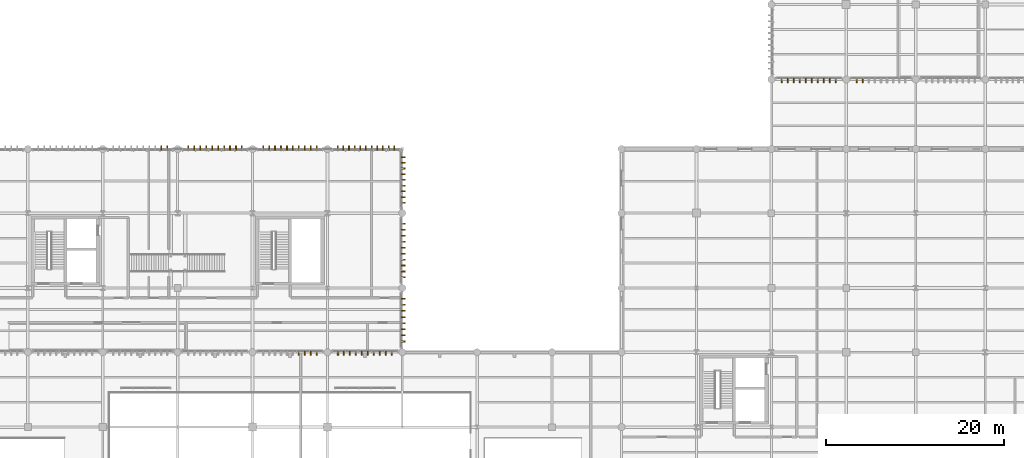
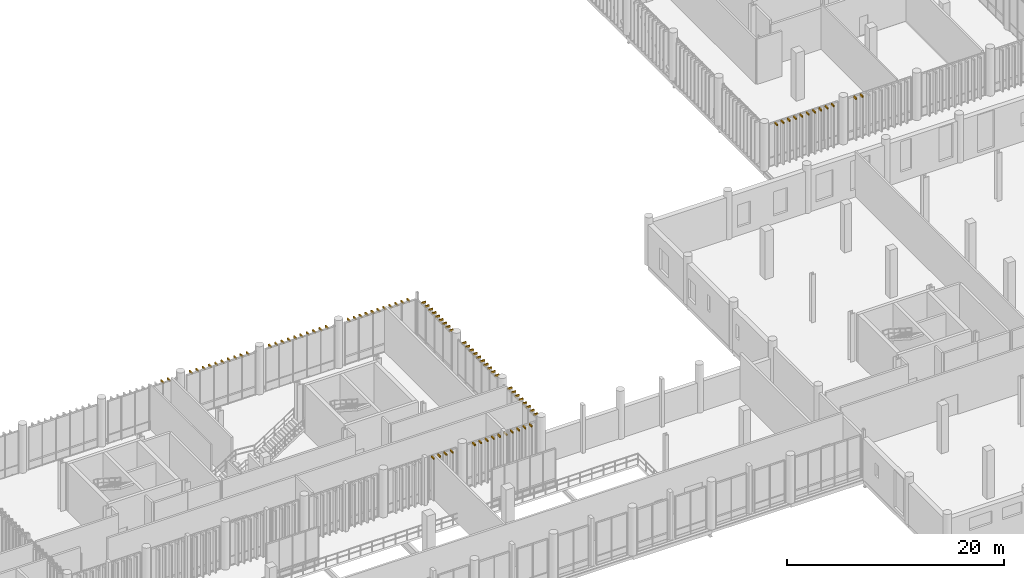
# One storey, part 127 of 128: 86 shading devices.
"""IFC4 building model written with IfcOpenShell, lengths in metres."""

import ifcopenshell
import ifcopenshell.guid

model = None  # the IFC model being written
_history = None  # IfcOwnerHistory: only IFC2X3 demands one
_inside = {}  # id of a spatial element -> (the spatial element, [elements in it])
_under = {}  # id of a project, library or spatial element -> (it, [spatial elements below it])
_declared = {}  # id of a project -> (the project, [libraries it declares])
_typed = {}  # id of a type object -> (the type object, [elements of that type])
_made_of = {}  # id of a material, layer set ... -> (it, [elements and type objects made of it])


def new_model(schema):
    """Start an empty IFC model of exactly this schema.

    Asked for "IFC4X3", IfcOpenShell would pick the latest addendum, in which some entities
    have other attributes; the version numbers below select the first issue.
    IFC2X3 requires an IfcOwnerHistory on every rooted entity: one is made here for all.
    """
    global model, _history
    if schema == "IFC4X3":
        model = ifcopenshell.file(schema_version=(4, 3, 0, 0))
    else:
        model = ifcopenshell.file(schema=schema)
    _inside.clear()
    _under.clear()
    _declared.clear()
    _typed.clear()
    _made_of.clear()
    _history = None
    if model.schema == "IFC2X3":
        org = make("IfcOrganization", Name="unknown")
        user = make(
            "IfcPersonAndOrganization",
            ThePerson=make("IfcPerson", FamilyName="unknown"),
            TheOrganization=org,
        )
        app = make(
            "IfcApplication",
            ApplicationDeveloper=org,
            Version="unknown",
            ApplicationFullName="unknown",
            ApplicationIdentifier="unknown",
        )
        _history = make(
            "IfcOwnerHistory",
            OwningUser=user,
            OwningApplication=app,
            ChangeAction="ADDED",
            CreationDate=0,
        )
    return model


def make(cls, **values):
    """One entity of the class cls with the attributes given. An attribute that is None is left unset."""
    return model.create_entity(
        cls, **{name: value for name, value in values.items() if value is not None}
    )


def rooted(cls, **values):
    """An entity with a GlobalId (a new one), such as an element, a storey or a relation."""
    return make(cls, GlobalId=ifcopenshell.guid.new(), OwnerHistory=_history, **values)


def si_unit(unit_type, name, prefix=None):
    """IfcSIUnit, for example si_unit("LENGTHUNIT", "METRE", prefix="MILLI")."""
    return make("IfcSIUnit", UnitType=unit_type, Prefix=prefix, Name=name)


def assignment(units):
    """IfcUnitAssignment: the units of a project."""
    return None if units is None else make("IfcUnitAssignment", Units=units)


def point(xyz):
    """IfcCartesianPoint."""
    return None if xyz is None else make("IfcCartesianPoint", Coordinates=xyz)


def direction(xyz):
    """IfcDirection."""
    return None if xyz is None else make("IfcDirection", DirectionRatios=xyz)


def frame(location, z_axis=None, x_axis=None):
    """IfcAxis2Placement3D, a coordinate frame: its origin and axes. An axis left out is left unset."""
    return make(
        "IfcAxis2Placement3D",
        Location=point(location),
        Axis=direction(z_axis),
        RefDirection=direction(x_axis),
    )


def frame_2d(location, x_axis=None):
    """IfcAxis2Placement2D, a coordinate frame in the plane: its origin and x axis."""
    return make(
        "IfcAxis2Placement2D", Location=point(location), RefDirection=direction(x_axis)
    )


def origin_with_axes():
    """The frame at (0, 0, 0) with the z axis (0, 0, 1) and the x axis (1, 0, 0) written out."""
    return frame((0.0, 0.0, 0.0), z_axis=(0.0, 0.0, 1.0), x_axis=(1.0, 0.0, 0.0))


def origin_2d_with_axis():
    """The frame at (0, 0) in the plane with the x axis (1, 0) written out."""
    return frame_2d((0.0, 0.0), x_axis=(1.0, 0.0))


def place(relative_to, where):
    """IfcLocalPlacement: puts the frame where relative to a parent placement (None: the world)."""
    return make(
        "IfcLocalPlacement", PlacementRelTo=relative_to, RelativePlacement=where
    )


def context(
    kind, dimensions, precision=None, world=None, true_north=None, identifier=None
):
    """IfcGeometricRepresentationContext, for example the 3D "Model" context."""
    return make(
        "IfcGeometricRepresentationContext",
        ContextIdentifier=identifier,
        ContextType=kind,
        CoordinateSpaceDimension=dimensions,
        Precision=precision,
        WorldCoordinateSystem=world,
        TrueNorth=true_north,
    )


def subcontext(parent, identifier, kind, view, scale=None):
    """IfcGeometricRepresentationSubContext, for example "Body" below "Model"."""
    return make(
        "IfcGeometricRepresentationSubContext",
        ContextIdentifier=identifier,
        ContextType=kind,
        ParentContext=parent,
        TargetScale=scale,
        TargetView=view,
    )


def project(units=None, contexts=None):
    """IfcProject with its units and contexts."""
    return rooted(
        "IfcProject",
        Name="project",
        RepresentationContexts=contexts,
        UnitsInContext=assignment(units),
    )


def spatial(cls, under=None, at=None, **own):
    """A site, building, storey or space (cls), placed at a placement, below another one or the project."""
    s = rooted(cls, ObjectPlacement=at, **own)
    if under is not None:
        _under.setdefault(under.id(), (under, []))[1].append(s)
    return s


def profile(cls, at=None, kind="AREA", **sizes):
    """A parametric profile (cls). Its sizes go by their IFC names, for example OverallWidth=200.0."""
    return make(cls, ProfileType=kind, Position=at, **sizes)


def rectangle(**sizes):
    """IfcRectangleProfileDef."""
    return profile("IfcRectangleProfileDef", **sizes)


def extrude(swept, where, along, depth):
    """IfcExtrudedAreaSolid: the profile swept, set in the frame where, extruded along a direction by depth."""
    return make(
        "IfcExtrudedAreaSolid",
        SweptArea=swept,
        Position=where,
        ExtrudedDirection=direction(along),
        Depth=depth,
    )


def shape(context_of_items, identifier, shape_type, items):
    """IfcShapeRepresentation: the items that make up one representation, for example the "Body"."""
    return make(
        "IfcShapeRepresentation",
        ContextOfItems=context_of_items,
        RepresentationIdentifier=identifier,
        RepresentationType=shape_type,
        Items=items,
    )


def material(Name=None, Category=None):
    """IfcMaterial."""
    return make("IfcMaterial", Name=Name, Category=Category)


def made_of(thing, what):
    """Note that an element or type object is made of a material, layer set ...; save() writes the relation."""
    if what is not None:
        _made_of.setdefault(what.id(), (what, []))[1].append(thing)
    return thing


def type_object(cls, material=None, **own):
    """A type object (cls), such as IfcWallType, which elements share."""
    return made_of(rooted(cls, **own), material)


def element(
    cls,
    number,
    at=None,
    inside=None,
    cuts=None,
    type_object=None,
    material=None,
    context=None,
    identifier="Body",
    shape_type=None,
    held_by="IfcProductDefinitionShape",
    body=None,
    shapes=None,
    **own,
):
    """One element of the class cls, such as IfcWall. Its Tag is "e" and its number.

    at: its placement. inside: the storey or other place that contains it. cuts: it is an
    opening in that element (IfcRelVoidsElement). A single representation is given by context,
    identifier, shape_type and body (its items); several are given by shapes. held_by: the class
    of the entity that holds the representations. save() writes the other relations.
    """
    e = rooted(cls, Tag="e%d" % number, ObjectPlacement=at, **own)
    if body is not None:
        shapes = [shape(context, identifier, shape_type, body)]
    if shapes is not None:
        e.Representation = make(held_by, Representations=shapes)
    if inside is not None:
        _inside.setdefault(inside.id(), (inside, []))[1].append(e)
    if cuts is not None:
        rooted(
            "IfcRelVoidsElement", RelatingBuildingElement=cuts, RelatedOpeningElement=e
        )
    if type_object is not None:
        _typed.setdefault(type_object.id(), (type_object, []))[1].append(e)
    return made_of(e, material)


def aggregate(whole, parts):
    """IfcRelAggregates: a whole, such as a stair, and the parts it consists of."""
    return rooted("IfcRelAggregates", RelatingObject=whole, RelatedObjects=parts)


def save(model, path):
    """Write the relations noted so far, then the file.

    IfcRelAggregates (storeys below a building ...), IfcRelContainedInSpatialStructure (elements
    in a storey), IfcRelDefinesByType, IfcRelAssociatesMaterial and IfcRelDeclares: one each for
    every whole, place, type object, material and project.
    """
    for whole, parts in _under.values():
        aggregate(whole, parts)
    for where, things in _inside.values():
        rooted(
            "IfcRelContainedInSpatialStructure",
            RelatedElements=things,
            RelatingStructure=where,
        )
    for kind, things in _typed.values():
        rooted("IfcRelDefinesByType", RelatedObjects=things, RelatingType=kind)
    for what, things in _made_of.values():
        rooted("IfcRelAssociatesMaterial", RelatedObjects=things, RelatingMaterial=what)
    for by, libraries in _declared.values():
        rooted("IfcRelDeclares", RelatingContext=by, RelatedDefinitions=libraries)
    model.write(path)


model = new_model("IFC4")

# Units and contexts
model_context = context("Model", 3, precision=1e-05, world=origin_with_axes(), true_north=direction((0.0, 1.0)))
body_context = subcontext(model_context, "Body", "Model", "MODEL_VIEW")
ifc_project = project(units=[si_unit("LENGTHUNIT", "METRE"), si_unit("AREAUNIT", "SQUARE_METRE"), si_unit("VOLUMEUNIT", "CUBIC_METRE"), si_unit("PLANEANGLEUNIT", "RADIAN"), si_unit("MASSUNIT", "GRAM", prefix="KILO"), si_unit("THERMODYNAMICTEMPERATUREUNIT", "KELVIN")], contexts=[model_context])

# Site, building, storey
site_placement = place(None, origin_with_axes())
site = spatial("IfcSite", under=ifc_project, at=site_placement, CompositionType="ELEMENT")
building_placement = place(site_placement, origin_with_axes())
building = spatial("IfcBuilding", under=site, at=building_placement, Name="Montbau Bow Law Courts", CompositionType="ELEMENT")
storey_placement = place(building_placement, frame((0.0, 0.0, 5.4), z_axis=(0.0, 0.0, 1.0), x_axis=(1.0, 0.0, 0.0)))
storey = spatial("IfcBuildingStorey", under=building, at=storey_placement, Name="L01", CompositionType="ELEMENT", Elevation=5.4)

# Shading devices
ifc_material_1 = material(Name="Freeze-Thaw Glazed Cream Ceramic Vertical Louvre", Category="masonry")
shading_device_type_1 = type_object("IfcShadingDeviceType", Name="SH-LVR-CRM", PredefinedType="USERDEFINED", material=ifc_material_1)
for number, where, z_axis, x_axis, name in (
    (1, (85.605, 38.89, 10.04), (0.0, 0.0, 1.0), (0.0, -1.0, 0.0), "LVR-L01-1287:shd_1287"),
    (2, (86.275, 38.89, 10.04), (0.0, 0.0, 1.0), (0.0, -1.0, 0.0), "LVR-L01-1288:shd_1288"),
    (3, (86.945, 38.89, 10.04), (0.0, 0.0, 1.0), (0.0, -1.0, 0.0), "LVR-L01-1289:shd_1289"),
    (4, (87.615, 38.89, 10.04), (0.0, 0.0, 1.0), (0.0, -1.0, 0.0), "LVR-L01-1290:shd_1290"),
    (5, (89.985, 38.89, 10.04), (0.0, 0.0, 1.0), (0.0, -1.0, 0.0), "LVR-L01-1291:shd_1291"),
    (6, (90.655, 38.89, 10.04), (0.0, 0.0, 1.0), (0.0, -1.0, 0.0), "LVR-L01-1292:shd_1292"),
    (7, (91.325, 38.89, 10.04), (0.0, 0.0, 1.0), (0.0, -1.0, 0.0), "LVR-L01-1293:shd_1293"),
    (8, (91.995, 38.89, 10.04), (0.0, 0.0, 1.0), (0.0, -1.0, 0.0), "LVR-L01-1294:shd_1294"),
    (9, (92.665, 38.89, 10.04), (0.0, 0.0, 1.0), (0.0, -1.0, 0.0), "LVR-L01-1295:shd_1295"),
    (10, (93.335, 38.89, 10.04), (0.0, 0.0, 1.0), (0.0, -1.0, 0.0), "LVR-L01-1296:shd_1296"),
    (11, (94.005, 38.89, 10.04), (0.0, 0.0, 1.0), (0.0, -1.0, 0.0), "LVR-L01-1297:shd_1297"),
    (12, (94.675, 38.89, 10.04), (0.0, 0.0, 1.0), (0.0, -1.0, 0.0), "LVR-L01-1298:shd_1298"),
    (13, (95.345, 38.89, 10.04), (0.0, 0.0, 1.0), (0.0, -1.0, 0.0), "LVR-L01-1299:shd_1299"),
    (14, (96.015, 38.89, 10.04), (0.0, 0.0, 1.0), (0.0, -1.0, 0.0), "LVR-L01-1300:shd_1300"),
    (15, (70.145, 61.91, 10.04), (0.0, 0.0, 1.0), (0.0, 1.0, 0.0), "LVR-L01-1329:shd_1329"),
    (16, (70.815, 61.91, 10.04), (0.0, 0.0, 1.0), (0.0, 1.0, 0.0), "LVR-L01-1330:shd_1330"),
    (17, (73.185, 61.91, 10.04), (0.0, 0.0, 1.0), (0.0, 1.0, 0.0), "LVR-L01-1331:shd_1331"),
    (18, (73.855, 61.91, 10.04), (0.0, 0.0, 1.0), (0.0, 1.0, 0.0), "LVR-L01-1332:shd_1332"),
    (19, (74.525, 61.91, 10.04), (0.0, 0.0, 1.0), (0.0, 1.0, 0.0), "LVR-L01-1333:shd_1333"),
    (20, (75.195, 61.91, 10.04), (0.0, 0.0, 1.0), (0.0, 1.0, 0.0), "LVR-L01-1334:shd_1334"),
    (21, (75.865, 61.91, 10.04), (0.0, 0.0, 1.0), (0.0, 1.0, 0.0), "LVR-L01-1335:shd_1335"),
    (22, (76.535, 61.91, 10.04), (0.0, 0.0, 1.0), (0.0, 1.0, 0.0), "LVR-L01-1336:shd_1336"),
    (23, (77.205, 61.91, 10.04), (0.0, 0.0, 1.0), (0.0, 1.0, 0.0), "LVR-L01-1337:shd_1337"),
    (24, (77.875, 61.91, 10.04), (0.0, 0.0, 1.0), (0.0, 1.0, 0.0), "LVR-L01-1338:shd_1338"),
    (25, (78.545, 61.91, 10.04), (0.0, 0.0, 1.0), (0.0, 1.0, 0.0), "LVR-L01-1339:shd_1339"),
    (26, (79.215, 61.91, 10.04), (0.0, 0.0, 1.0), (0.0, 1.0, 0.0), "LVR-L01-1340:shd_1340"),
    (27, (81.585, 61.91, 10.04), (0.0, 0.0, 1.0), (0.0, 1.0, 0.0), "LVR-L01-1341:shd_1341"),
    (28, (82.255, 61.91, 10.04), (0.0, 0.0, 1.0), (0.0, 1.0, 0.0), "LVR-L01-1342:shd_1342"),
    (29, (82.925, 61.91, 10.04), (0.0, 0.0, 1.0), (0.0, 1.0, 0.0), "LVR-L01-1343:shd_1343"),
    (30, (83.595, 61.91, 10.04), (0.0, 0.0, 1.0), (0.0, 1.0, 0.0), "LVR-L01-1344:shd_1344"),
    (31, (84.265, 61.91, 10.04), (0.0, 0.0, 1.0), (0.0, 1.0, 0.0), "LVR-L01-1345:shd_1345"),
    (32, (84.935, 61.91, 10.04), (0.0, 0.0, 1.0), (0.0, 1.0, 0.0), "LVR-L01-1346:shd_1346"),
    (33, (85.605, 61.91, 10.04), (0.0, 0.0, 1.0), (0.0, 1.0, 0.0), "LVR-L01-1347:shd_1347"),
    (34, (86.275, 61.91, 10.04), (0.0, 0.0, 1.0), (0.0, 1.0, 0.0), "LVR-L01-1348:shd_1348"),
    (35, (86.945, 61.91, 10.04), (0.0, 0.0, 1.0), (0.0, 1.0, 0.0), "LVR-L01-1349:shd_1349"),
    (36, (87.615, 61.91, 10.04), (0.0, 0.0, 1.0), (0.0, 1.0, 0.0), "LVR-L01-1350:shd_1350"),
    (37, (89.95, 61.91, 10.04), (0.0, 0.0, 1.0), (0.0, 1.0, 0.0), "LVR-L01-1351:shd_1351"),
    (38, (90.585, 61.91, 10.04), (0.0, 0.0, 1.0), (0.0, 1.0, 0.0), "LVR-L01-1352:shd_1352"),
    (39, (91.22, 61.91, 10.04), (0.0, 0.0, 1.0), (0.0, 1.0, 0.0), "LVR-L01-1353:shd_1353"),
    (40, (91.854, 61.91, 10.04), (0.0, 0.0, 1.0), (0.0, 1.0, 0.0), "LVR-L01-1354:shd_1354"),
    (41, (92.489, 61.91, 10.04), (0.0, 0.0, 1.0), (0.0, 1.0, 0.0), "LVR-L01-1355:shd_1355"),
    (42, (93.124, 61.91, 10.04), (0.0, 0.0, 1.0), (0.0, 1.0, 0.0), "LVR-L01-1356:shd_1356"),
    (43, (93.759, 61.91, 10.04), (0.0, 0.0, 1.0), (0.0, 1.0, 0.0), "LVR-L01-1357:shd_1357"),
    (44, (94.394, 61.91, 10.04), (0.0, 0.0, 1.0), (0.0, 1.0, 0.0), "LVR-L01-1358:shd_1358"),
    (45, (95.029, 61.91, 10.04), (0.0, 0.0, 1.0), (0.0, 1.0, 0.0), "LVR-L01-1359:shd_1359"),
    (46, (95.663, 61.91, 10.04), (0.0, 0.0, 1.0), (0.0, 1.0, 0.0), "LVR-L01-1360:shd_1360"),
    (47, (96.298, 61.91, 10.04), (0.0, 0.0, 1.0), (0.0, 1.0, 0.0), "LVR-L01-1361:shd_1361"),
    (48, (97.31, 40.201, 10.04), (0.0, 0.0, 1.0), (1.0, 0.0, 0.0), "LVR-L01-1390:shd_1390"),
    (49, (97.31, 40.886, 10.04), (0.0, 0.0, 1.0), (1.0, 0.0, 0.0), "LVR-L01-1391:shd_1391"),
    (50, (97.31, 41.572, 10.04), (0.0, 0.0, 1.0), (1.0, 0.0, 0.0), "LVR-L01-1392:shd_1392"),
    (51, (97.31, 42.257, 10.04), (0.0, 0.0, 1.0), (1.0, 0.0, 0.0), "LVR-L01-1393:shd_1393"),
    (52, (97.31, 42.943, 10.04), (0.0, 0.0, 1.0), (1.0, 0.0, 0.0), "LVR-L01-1394:shd_1394"),
    (53, (97.31, 43.628, 10.04), (0.0, 0.0, 1.0), (1.0, 0.0, 0.0), "LVR-L01-1395:shd_1395"),
    (54, (97.31, 44.314, 10.04), (0.0, 0.0, 1.0), (1.0, 0.0, 0.0), "LVR-L01-1396:shd_1396"),
    (55, (97.31, 44.999, 10.04), (0.0, 0.0, 1.0), (1.0, 0.0, 0.0), "LVR-L01-1397:shd_1397"),
    (56, (97.31, 47.385, 10.04), (0.0, 0.0, 1.0), (1.0, 0.0, 0.0), "LVR-L01-1398:shd_1398"),
    (57, (97.31, 48.055, 10.04), (0.0, 0.0, 1.0), (1.0, 0.0, 0.0), "LVR-L01-1399:shd_1399"),
    (58, (97.31, 48.725, 10.04), (0.0, 0.0, 1.0), (1.0, 0.0, 0.0), "LVR-L01-1400:shd_1400"),
    (59, (97.31, 49.395, 10.04), (0.0, 0.0, 1.0), (1.0, 0.0, 0.0), "LVR-L01-1401:shd_1401"),
    (60, (97.31, 50.065, 10.04), (0.0, 0.0, 1.0), (1.0, 0.0, 0.0), "LVR-L01-1402:shd_1402"),
    (61, (97.31, 50.735, 10.04), (0.0, 0.0, 1.0), (1.0, 0.0, 0.0), "LVR-L01-1403:shd_1403"),
    (62, (97.31, 51.405, 10.04), (0.0, 0.0, 1.0), (1.0, 0.0, 0.0), "LVR-L01-1404:shd_1404"),
    (63, (97.31, 52.075, 10.04), (0.0, 0.0, 1.0), (1.0, 0.0, 0.0), "LVR-L01-1405:shd_1405"),
    (64, (97.31, 52.745, 10.04), (0.0, 0.0, 1.0), (1.0, 0.0, 0.0), "LVR-L01-1406:shd_1406"),
    (65, (97.31, 53.415, 10.04), (0.0, 0.0, 1.0), (1.0, 0.0, 0.0), "LVR-L01-1407:shd_1407"),
    (66, (97.31, 55.757, 10.04), (0.0, 0.0, 1.0), (1.0, 0.0, 0.0), "LVR-L01-1408:shd_1408"),
    (67, (97.31, 56.398, 10.04), (0.0, 0.0, 1.0), (1.0, 0.0, 0.0), "LVR-L01-1409:shd_1409"),
    (68, (97.31, 57.04, 10.04), (0.0, 0.0, 1.0), (1.0, 0.0, 0.0), "LVR-L01-1410:shd_1410"),
    (69, (97.31, 57.682, 10.04), (0.0, 0.0, 1.0), (1.0, 0.0, 0.0), "LVR-L01-1411:shd_1411"),
    (70, (97.31, 58.323, 10.04), (0.0, 0.0, 1.0), (1.0, 0.0, 0.0), "LVR-L01-1412:shd_1412"),
    (71, (97.31, 58.965, 10.04), (0.0, 0.0, 1.0), (1.0, 0.0, 0.0), "LVR-L01-1413:shd_1413"),
    (72, (97.31, 59.607, 10.04), (0.0, 0.0, 1.0), (1.0, 0.0, 0.0), "LVR-L01-1414:shd_1414"),
    (73, (97.31, 60.249, 10.04), (0.0, 0.0, 1.0), (1.0, 0.0, 0.0), "LVR-L01-1415:shd_1415"),
    (74, (97.31, 60.89, 10.04), (0.0, 0.0, 1.0), (1.0, 0.0, 0.0), "LVR-L01-1416:shd_1416"),
):
    element("IfcShadingDevice", number, at=place(None, frame(where, z_axis=z_axis, x_axis=x_axis)), inside=storey, type_object=shading_device_type_1, Name=name, ObjectType="LOUVRE", PredefinedType="USERDEFINED", context=body_context, shape_type="SweptSolid", body=[
        extrude(rectangle(XDim=0.48, YDim=0.12, at=origin_2d_with_axis()), origin_with_axes(), (0.0, 0.0, 1.0), 0.18),
    ])
ifc_material_2 = material(Name="Freeze-Thaw Glazed Slate-Grey Ceramic Vertical Louvre", Category="masonry")
shading_device_type_2 = type_object("IfcShadingDeviceType", Name="SH-LVR-SLT", PredefinedType="USERDEFINED", material=ifc_material_2)
for number, where, z_axis, x_axis, name in (
    (75, (139.785, 69.49, 10.04), (0.0, 0.0, 1.0), (0.0, -1.0, 0.0), "LVR-L01-2446:shd_2446"),
    (76, (140.455, 69.49, 10.04), (0.0, 0.0, 1.0), (0.0, -1.0, 0.0), "LVR-L01-2447:shd_2447"),
    (77, (141.125, 69.49, 10.04), (0.0, 0.0, 1.0), (0.0, -1.0, 0.0), "LVR-L01-2448:shd_2448"),
    (78, (141.795, 69.49, 10.04), (0.0, 0.0, 1.0), (0.0, -1.0, 0.0), "LVR-L01-2449:shd_2449"),
    (79, (142.465, 69.49, 10.04), (0.0, 0.0, 1.0), (0.0, -1.0, 0.0), "LVR-L01-2450:shd_2450"),
    (80, (143.135, 69.49, 10.04), (0.0, 0.0, 1.0), (0.0, -1.0, 0.0), "LVR-L01-2451:shd_2451"),
    (81, (143.805, 69.49, 10.04), (0.0, 0.0, 1.0), (0.0, -1.0, 0.0), "LVR-L01-2452:shd_2452"),
    (82, (144.475, 69.49, 10.04), (0.0, 0.0, 1.0), (0.0, -1.0, 0.0), "LVR-L01-2453:shd_2453"),
    (83, (145.145, 69.49, 10.04), (0.0, 0.0, 1.0), (0.0, -1.0, 0.0), "LVR-L01-2454:shd_2454"),
    (84, (145.815, 69.49, 10.04), (0.0, 0.0, 1.0), (0.0, -1.0, 0.0), "LVR-L01-2455:shd_2455"),
    (85, (148.192, 69.49, 10.04), (0.0, 0.0, 1.0), (0.0, -1.0, 0.0), "LVR-L01-2456:shd_2456"),
    (86, (148.869, 69.49, 10.04), (0.0, 0.0, 1.0), (0.0, -1.0, 0.0), "LVR-L01-2457:shd_2457"),
):
    element("IfcShadingDevice", number, at=place(None, frame(where, z_axis=z_axis, x_axis=x_axis)), inside=storey, type_object=shading_device_type_2, Name=name, ObjectType="LOUVRE", PredefinedType="USERDEFINED", context=body_context, shape_type="SweptSolid", body=[
        extrude(rectangle(XDim=0.48, YDim=0.12, at=origin_2d_with_axis()), origin_with_axes(), (0.0, 0.0, 1.0), 0.18),
    ])

save(model, "model.ifc")
